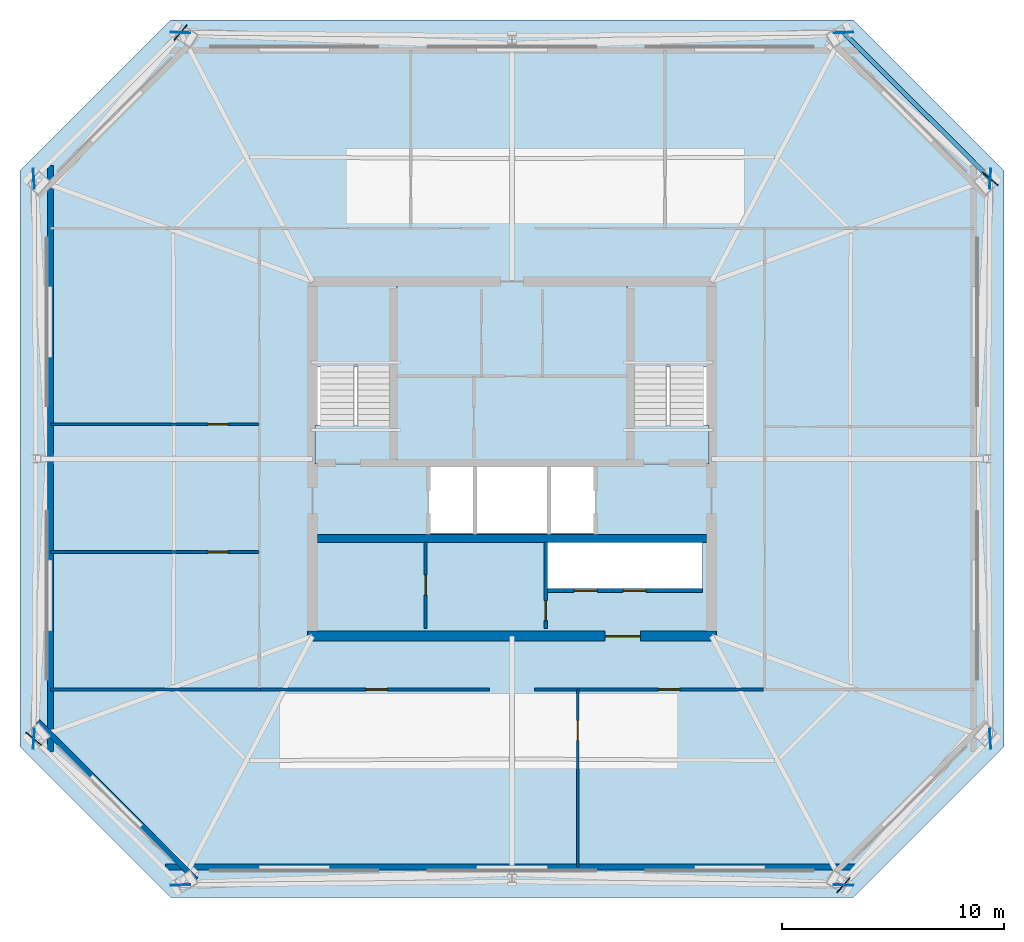
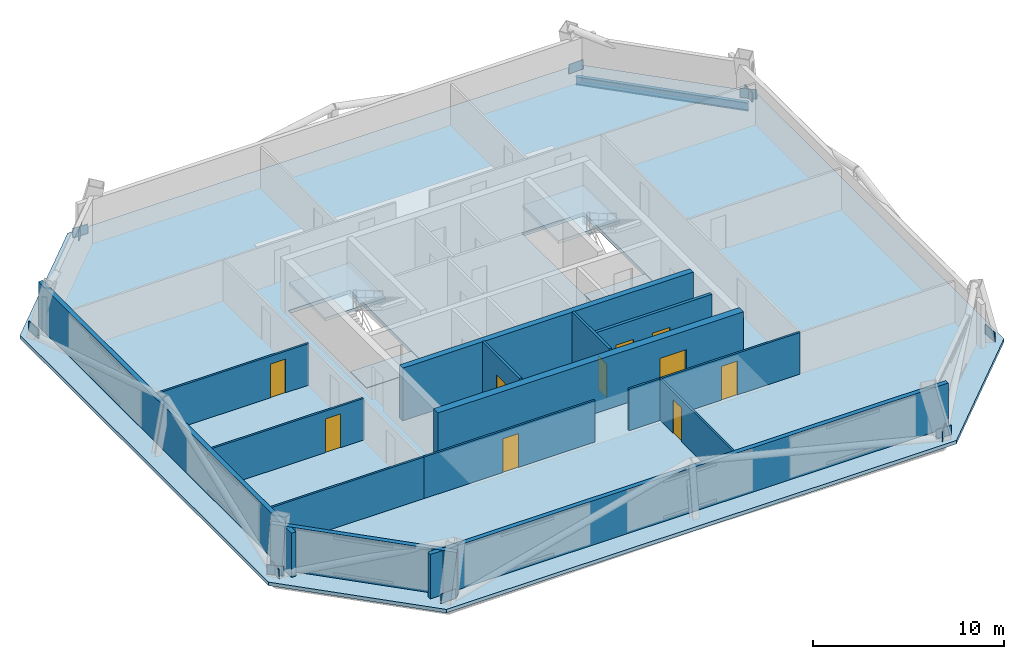
# One storey, part 2 of 6: 14 walls, 12 plates, 10 doors, 5 slabs, 1 beam, 10 openings, 2 elements without a shape of their own.
"""IFC4 building model written with IfcOpenShell, lengths in metres."""

from ifc_helpers import new_model, si_unit, direction, frame, frame_2d, origin, origin_2d, place, context, subcontext, project, spatial, polyline, rectangle, i_section, outline, extrude, material, layer, layer_set, material_profile, profile_set, type_object, element, fill, aggregate, save


model = new_model("IFC4")

# Units and contexts
model_context = context("Model", 3, precision=1e-05, world=origin(), true_north=direction((0.0, 1.0)))
body_context = subcontext(model_context, "Body", "Model", "MODEL_VIEW")
ifc_project = project(units=[si_unit("LENGTHUNIT", "METRE"), si_unit("AREAUNIT", "SQUARE_METRE"), si_unit("VOLUMEUNIT", "CUBIC_METRE"), si_unit("PLANEANGLEUNIT", "RADIAN"), si_unit("MASSUNIT", "GRAM", prefix="KILO")], contexts=[model_context])

# Site, building, storey
site_placement = place(None, origin())
site = spatial("IfcSite", under=ifc_project, at=site_placement, CompositionType="ELEMENT")
building_placement = place(site_placement, origin())
building = spatial("IfcBuilding", under=site, at=building_placement, Name="Caelvoria Tower", CompositionType="ELEMENT")
storey_placement = place(building_placement, frame((0.0, 0.0, 205.800048828125)))
storey = spatial("IfcBuildingStorey", under=building, at=storey_placement, Name="L54", CompositionType="ELEMENT", Elevation=205.800048828125)

# Beam
ifc_material_1 = material(Name="Structural Steel ASTM A992 Gr.50", Category="steel")
ifc_material_profile = material_profile(ifc_material_1, i_section(OverallWidth=0.208984375, OverallDepth=0.532958984375, WebThickness=0.01025390625, FlangeThickness=0.015625, FilletRadius=0.01611328125, at=origin_2d()), Name="Structural Steel ASTM A992 Gr.50")
ifc_profile_set = profile_set([ifc_material_profile], Name="W530X92 - Structural Steel ASTM A992 Gr.50")
beam_type = type_object("IfcBeamType", Name="Upper Zone Spandrel W530X92", PredefinedType="BEAM", material=ifc_profile_set)
beam_placement = place(storey_placement, frame((67.57861328125, 44.63623046875, -0.491455078125), z_axis=(-0.708450925744, 0.705760076664, 0.0), x_axis=(-0.705760076664, -0.708450925744, 0.0)))
element("IfcBeam", 1, at=beam_placement, inside=storey, type_object=beam_type, Name="Perimeter Spandrel Girder L54-05", PredefinedType="BEAM", context=body_context, shape_type="SweptSolid", body=[
    extrude(i_section(OverallWidth=0.208984375, OverallDepth=0.532958984375, WebThickness=0.01025390625, FlangeThickness=0.015625, FilletRadius=0.01611328125, at=origin_2d()), origin(), (0.0, 0.0, 1.0), 9.34521484375),
])

# Plates
ifc_material_2 = material(Name="Structural Steel ASTM A572 Gr.50", Category="steel")
ifc_layer_1 = layer(ifc_material_2, 0.0400390625, Name="Structural Steel ASTM A572 Gr.50")
ifc_layer_set_1 = layer_set([ifc_layer_1], Name="Megaframe Node Gusset Plate 900x600x40 - Structural Steel ASTM A572 Gr.50")
plate_type = type_object("IfcPlateType", Name="Megaframe Node Gusset Plate 900x600x40", PredefinedType="USERDEFINED", material=ifc_layer_set_1)
for number, where, z_axis, x_axis, name in (
    (2, (60.9580078125, 12.768310546875, 0.02001953125), (0.0, 0.0, 1.0), (0.643803163735, 0.765191143679, 0.0), "Chamfer Mega Brace Gusset L54 SE"),
    (3, (67.57861328125, 44.63623046875, 0.02001953125), (0.0, 0.0, 1.0), (-0.766162227237, 0.642647213917, 0.0), "Chamfer Mega Brace Gusset L54 NE"),
    (4, (31.0419921875, 51.231689453125, 0.02001953125), (0.0, 0.0, 1.0), (-0.643803163735, -0.765191143679, 0.0), "Chamfer Mega Brace Gusset L54 NW"),
    (5, (24.42138671875, 19.36376953125, 0.02001953125), (0.0, 0.0, 1.0), (0.766162227237, -0.642647213917, 0.0), "Chamfer Mega Brace Gusset L54 SW"),
    (6, (31.0419921875, 12.768310546875, 0.0498046875), (0.0, 0.0, 1.0), (0.999228008079, 0.039285975501, 0.0), "Megaframe Node Gusset Plate ND-01"),
    (7, (60.9580078125, 12.768310546875, 0.0498046875), (0.0, 0.0, 1.0), (-0.999228008079, 0.039285975501, 0.0), "Megaframe Node Gusset Plate ND-01"),
    (8, (67.57861328125, 19.36376953125, 0.0498046875), (0.0, 0.0, 1.0), (-0.056279804967, 0.998415035721, 0.0), "Megaframe Node Gusset Plate ND-01"),
    (9, (67.57861328125, 44.63623046875, 0.0498046875), (0.0, 0.0, 1.0), (-0.056279804967, -0.998415035721, 0.0), "Megaframe Node Gusset Plate ND-01"),
    (10, (60.9580078125, 51.231689453125, 0.0498046875), (0.0, 0.0, 1.0), (-0.999228008079, -0.039285975501, 0.0), "Megaframe Node Gusset Plate ND-01"),
    (11, (31.0419921875, 51.231689453125, 0.0498046875), (0.0, 0.0, 1.0), (0.999228008079, -0.039285975501, 0.0), "Megaframe Node Gusset Plate ND-01"),
    (12, (24.42138671875, 44.63623046875, 0.0498046875), (0.0, 0.0, 1.0), (0.056279804967, -0.998415035721, 0.0), "Megaframe Node Gusset Plate ND-01"),
    (13, (24.42138671875, 19.36376953125, 0.0498046875), (0.0, 0.0, 1.0), (0.056279804967, 0.998415035721, 0.0), "Megaframe Node Gusset Plate ND-01"),
):
    element("IfcPlate", number, at=place(storey_placement, frame(where, z_axis=z_axis, x_axis=x_axis)), inside=storey, type_object=plate_type, Name=name, ObjectType="GUSSET_PLATE", PredefinedType="USERDEFINED", context=body_context, shape_type="SweptSolid", body=[
        extrude(rectangle(XDim=0.89990234375, YDim=0.0400390625, at=origin_2d()), origin(), (0.0, 0.0, 1.0), 0.60009765625),
    ])

# Stair, slabs
ifc_material_3 = material(Name="Concrete C40/50", Category="concrete")
stair_type = type_object("IfcStairType", Name="Core Smokeproof Dogleg Stair Concrete C40/50", PredefinedType="HALF_TURN_STAIR", material=ifc_material_3)
stair_1_placement = place(storey_placement, origin())
stair_1 = element("IfcStair", 14, at=stair_1_placement, inside=storey, type_object=stair_type, Name="ST-01 Smokeproof Exit Stair L54", PredefinedType="HALF_TURN_STAIR")
ifc_layer_2 = layer(ifc_material_3, 0.199951171875, Name="Concrete C40/50")
ifc_layer_set_2 = layer_set([ifc_layer_2], Name="Stair Half and Floor Landing Slab 200 Concrete C40/50 - Concrete C40/50")
slab_type_1 = type_object("IfcSlabType", Name="Stair Half and Floor Landing Slab 200 Concrete C40/50", PredefinedType="LANDING", material=ifc_layer_set_2)
slab_1_placement = place(storey_placement, frame((0.0, 0.0, -0.199951171875)))
slab_1 = element("IfcSlab", 15, at=slab_1_placement, type_object=slab_type_1, Name="ST-01 landing 1", PredefinedType="LANDING", context=body_context, shape_type="SweptSolid", body=[
    extrude(outline(polyline([(37.10009765625, 31.77001953125), (40.800048828125, 31.77001953125), (40.800048828125, 33.5), (37.10009765625, 33.5), (37.10009765625, 31.77001953125)])), origin(), (0.0, 0.0, 1.0), 0.199951171875),
])
slab_2_placement = place(storey_placement, frame((0.0, 0.0, 1.599853515625)))
slab_2 = element("IfcSlab", 16, at=slab_2_placement, type_object=slab_type_1, Name="ST-01 landing 2", PredefinedType="LANDING", context=body_context, shape_type="SweptSolid", body=[
    extrude(outline(polyline([(37.10009765625, 36.14990234375), (40.800048828125, 36.14990234375), (40.800048828125, 39.89990234375), (37.10009765625, 39.89990234375), (37.10009765625, 36.14990234375)])), origin(), (0.0, 0.0, 1.0), 0.2001953125),
])
aggregate(stair_1, [slab_1, slab_2])

stair_2_placement = place(storey_placement, origin())
stair_2 = element("IfcStair", 17, at=stair_2_placement, inside=storey, type_object=stair_type, Name="ST-02 Smokeproof Exit Stair L54", PredefinedType="HALF_TURN_STAIR")
slab_3_placement = place(storey_placement, frame((0.0, 0.0, -0.199951171875)))
slab_3 = element("IfcSlab", 18, at=slab_3_placement, type_object=slab_type_1, Name="ST-02 landing 1", PredefinedType="LANDING", context=body_context, shape_type="SweptSolid", body=[
    extrude(outline(polyline([(51.199951171875, 31.77001953125), (54.89990234375, 31.77001953125), (54.89990234375, 33.5), (51.199951171875, 33.5), (51.199951171875, 31.77001953125)])), origin(), (0.0, 0.0, 1.0), 0.199951171875),
])
slab_4_placement = place(storey_placement, frame((0.0, 0.0, 1.599853515625)))
slab_4 = element("IfcSlab", 19, at=slab_4_placement, type_object=slab_type_1, Name="ST-02 landing 2", PredefinedType="LANDING", context=body_context, shape_type="SweptSolid", body=[
    extrude(outline(polyline([(51.199951171875, 36.14990234375), (54.89990234375, 36.14990234375), (54.89990234375, 39.89990234375), (51.199951171875, 39.89990234375), (51.199951171875, 36.14990234375)])), origin(), (0.0, 0.0, 1.0), 0.2001953125),
])
aggregate(stair_2, [slab_3, slab_4])

# Slab
ifc_layer_3 = layer(ifc_material_3, 0.22509765625, Name="Concrete C40/50")
ifc_layer_set_3 = layer_set([ifc_layer_3], Name="Upper Tower Composite Office Slab 225 - Concrete C40/50")
slab_type_2 = type_object("IfcSlabType", Name="Upper Tower Composite Office Slab 225", PredefinedType="FLOOR", material=ifc_layer_set_3)
slab_5_placement = place(storey_placement, frame((0.0, 0.0, -0.22509765625)))
element("IfcSlab", 20, at=slab_5_placement, inside=storey, type_object=slab_type_2, Name="Level L54 Structural Floor Slab", PredefinedType="FLOOR", context=body_context, shape_type="SweptSolid", body=[
    extrude(outline(polyline([(30.60009765625, 12.199951171875), (61.39990234375, 12.199951171875), (68.199951171875, 19.0), (68.199951171875, 45.0), (61.39990234375, 51.800048828125), (30.60009765625, 51.800048828125), (23.800048828125, 45.0), (23.800048828125, 19.0), (30.60009765625, 12.199951171875)]), holes=[polyline([(37.080078125, 31.75), (40.820068359375, 31.75), (40.820068359375, 39.919921875), (37.080078125, 39.919921875), (37.080078125, 31.75)]), polyline([(51.179931640625, 31.75), (54.919921875, 31.75), (54.919921875, 39.919921875), (51.179931640625, 39.919921875), (51.179931640625, 31.75)]), polyline([(42.25, 28.64990234375), (49.75, 28.64990234375), (49.75, 31.800048828125), (42.25, 31.800048828125), (42.25, 28.64990234375)]), polyline([(47.60009765625, 26.14990234375), (54.60009765625, 26.14990234375), (54.60009765625, 28.25), (47.60009765625, 28.25), (47.60009765625, 26.14990234375)])]), origin(), (0.0, 0.0, 1.0), 0.22509765625),
])

# Wall
ifc_material_4 = material(Name="Concrete C50/60", Category="concrete")
ifc_layer_4 = layer(ifc_material_4, 0.35009765625, Name="Concrete C50/60")
ifc_layer_set_4 = layer_set([ifc_layer_4], Name="Core Internal Shear Wall 350 - Concrete C50/60")
wall_type_1 = type_object("IfcWallType", Name="Core Internal Shear Wall 350", PredefinedType="SHEAR", material=ifc_layer_set_4)
wall_1_placement = place(storey_placement, frame((37.22509765625, 28.39990234375, 0.0), z_axis=(0.0, 0.0, 1.0), x_axis=(1.0, 0.0, 0.0)))
element("IfcWall", 21, at=wall_1_placement, inside=storey, type_object=wall_type_1, Name="Core Shear Wall L54 M2", PredefinedType="SHEAR", context=body_context, shape_type="SweptSolid", body=[
    extrude(rectangle(XDim=17.5498046875, YDim=0.35009765625, at=frame_2d((8.77490234375, 0.0))), origin(), (0.0, 0.0, 1.0), 3.35986328125),
])

# Wall, opening, door
ifc_material_5 = material(Name="Double Gypsum Board on Steel Stud", Category="steel")
ifc_layer_5 = layer(ifc_material_5, 0.14990234375, Name="Double Gypsum Board on Steel Stud")
ifc_layer_set_5 = layer_set([ifc_layer_5], Name="Core Service Acoustic Partition Wall 150 - Double Gypsum Board on Steel Stud")
wall_type_2 = type_object("IfcWallType", Name="Core Service Acoustic Partition Wall 150", PredefinedType="PARTITIONING", material=ifc_layer_set_5)
wall_2_placement = place(storey_placement, frame((42.10009765625, 24.35009765625, 0.0), z_axis=(0.0, 0.0, 1.0), x_axis=(0.0, 1.0, 0.0)))
wall_2 = element("IfcWall", 22, at=wall_2_placement, inside=storey, type_object=wall_type_2, Name="Interior Partition IW-L54-RECL-MID", PredefinedType="PARTITIONING", context=body_context, shape_type="SweptSolid", body=[
    extrude(rectangle(XDim=3.89990234375, YDim=0.14990234375, at=frame_2d((1.949951171875, 0.0))), origin(), (0.0, 0.0, 1.0), 3.375),
])
opening_1_placement = place(wall_2_placement, frame((1.5, 0.0, 0.0)))
opening_1 = element("IfcOpeningElement", 23, at=opening_1_placement, cuts=wall_2, Name="Opening ID-06", PredefinedType="OPENING", context=body_context, shape_type="SweptSolid", body=[
    extrude(rectangle(XDim=0.89990234375, YDim=2.14990234375, at=frame_2d((0.449951171875, 1.074951171875))), frame((0.0, 0.0849609375, 0.0), z_axis=(0.0, -1.0, 0.0), x_axis=(1.0, 0.0, 0.0)), (0.0, 0.0, 1.0), 0.169921875),
])
ifc_material_6 = material(Name="Engineered Andean Oak Veneer Door", Category="wood")
door_type_1 = type_object("IfcDoorType", Name="Interior Timber Door 900x2150", OperationType="NOTDEFINED", PredefinedType="DOOR", material=ifc_material_6)
door_1_placement = place(opening_1_placement, origin())
door_1 = element("IfcDoor", 24, at=door_1_placement, inside=storey, type_object=door_type_1, Name="Interior Door DR-L54-RECL12", OperationType="SINGLE_SWING_LEFT", OverallHeight=2.14990234375, OverallWidth=0.89990234375, PredefinedType="DOOR", context=body_context, shape_type="SweptSolid", body=[
    extrude(rectangle(XDim=0.89990234375, YDim=2.14990234375, at=frame_2d((0.449951171875, 1.074951171875))), frame((0.0, 0.02490234375, 0.0), z_axis=(0.0, -1.0, 0.0), x_axis=(1.0, 0.0, 0.0)), (0.0, 0.0, 1.0), 0.050048828125),
])
fill(opening_1, door_1)

wall_3_placement = place(storey_placement, frame((47.52001953125, 24.35009765625, 0.0), z_axis=(0.0, 0.0, 1.0), x_axis=(0.0, 1.0, 0.0)))
wall_3 = element("IfcWall", 25, at=wall_3_placement, inside=storey, type_object=wall_type_2, Name="Interior Partition IW-L54-RECL2E", PredefinedType="PARTITIONING", context=body_context, shape_type="SweptSolid", body=[
    extrude(rectangle(XDim=3.89990234375, YDim=0.14990234375, at=frame_2d((1.949951171875, 0.0))), origin(), (0.0, 0.0, 1.0), 3.375),
])
opening_2_placement = place(wall_3_placement, frame((0.35009765625, 0.0, 0.0)))
opening_2 = element("IfcOpeningElement", 26, at=opening_2_placement, cuts=wall_3, Name="Opening ID-04", PredefinedType="OPENING", context=body_context, shape_type="SweptSolid", body=[
    extrude(rectangle(XDim=0.89990234375, YDim=2.14990234375, at=frame_2d((0.449951171875, 1.074951171875))), frame((0.0, 0.0849609375, 0.0), z_axis=(0.0, -1.0, 0.0), x_axis=(1.0, 0.0, 0.0)), (0.0, 0.0, 1.0), 0.169921875),
])
ifc_material_7 = material(Name="Acoustic Timber Fire Door", Category="wood")
door_type_2 = type_object("IfcDoorType", Name="Fire Door FD30S 900x2150", OperationType="NOTDEFINED", PredefinedType="DOOR", material=ifc_material_7)
door_2_placement = place(opening_2_placement, origin())
door_2 = element("IfcDoor", 27, at=door_2_placement, inside=storey, type_object=door_type_2, Name="Interior Door DR-L54-RECL2", OperationType="SINGLE_SWING_RIGHT", OverallHeight=2.14990234375, OverallWidth=0.89990234375, PredefinedType="DOOR", context=body_context, shape_type="SweptSolid", body=[
    extrude(rectangle(XDim=0.89990234375, YDim=2.14990234375, at=frame_2d((0.449951171875, 1.074951171875))), frame((0.0, 0.02490234375, 0.0), z_axis=(0.0, -1.0, 0.0), x_axis=(1.0, 0.0, 0.0)), (0.0, 0.0, 1.0), 0.050048828125),
])
fill(opening_2, door_2)

# Wall, openings, doors
ifc_material_8 = material(Name="Concrete Block and Fireboard Assembly", Category="concrete")
ifc_layer_6 = layer(ifc_material_8, 0.179931640625, Name="Concrete Block and Fireboard Assembly")
ifc_layer_set_6 = layer_set([ifc_layer_6], Name="Fire-Rated Hoistway Partition Wall 180 - Concrete Block and Fireboard Assembly")
wall_type_3 = type_object("IfcWallType", Name="Fire-Rated Hoistway Partition Wall 180", PredefinedType="PARTITIONING", material=ifc_layer_set_6)
wall_4_placement = place(storey_placement, frame((47.60009765625, 26.050048828125, 0.0), z_axis=(0.0, 0.0, 1.0), x_axis=(1.0, 0.0, 0.0)))
wall_4 = element("IfcWall", 28, at=wall_4_placement, inside=storey, type_object=wall_type_3, Name="Interior Partition IW-L54-LFRONT", PredefinedType="PARTITIONING", context=body_context, shape_type="SweptSolid", body=[
    extrude(rectangle(XDim=7.0, YDim=0.179931640625, at=frame_2d((3.5, 0.0))), origin(), (0.0, 0.0, 1.0), 3.375),
])
opening_3_placement = place(wall_4_placement, frame((1.199951171875, 0.0, 0.0)))
opening_3 = element("IfcOpeningElement", 29, at=opening_3_placement, cuts=wall_4, Name="Opening LD-01", PredefinedType="OPENING", context=body_context, shape_type="SweptSolid", body=[
    extrude(rectangle(XDim=1.050048828125, YDim=2.14990234375, at=frame_2d((0.52490234375, 1.074951171875))), frame((0.0, 0.099853515625, 0.0), z_axis=(0.0, -1.0, 0.0), x_axis=(1.0, 0.0, 0.0)), (0.0, 0.0, 1.0), 0.199951171875),
])
opening_4_placement = place(wall_4_placement, frame((3.39990234375, 0.0, 0.0)))
opening_4 = element("IfcOpeningElement", 30, at=opening_4_placement, cuts=wall_4, Name="Opening LD-01", PredefinedType="OPENING", context=body_context, shape_type="SweptSolid", body=[
    extrude(rectangle(XDim=1.050048828125, YDim=2.14990234375, at=frame_2d((0.52490234375, 1.074951171875))), frame((0.0, 0.099853515625, 0.0), z_axis=(0.0, -1.0, 0.0), x_axis=(1.0, 0.0, 0.0)), (0.0, 0.0, 1.0), 0.199951171875),
])
ifc_material_9 = material(Name="Brushed Bronze Stainless Sliding Landing Door", Category="aluminium")
door_type_3 = type_object("IfcDoorType", Name="Lift Landing Sliding Door 1100x2150", OperationType="NOTDEFINED", PredefinedType="DOOR", material=ifc_material_9)
door_3_placement = place(opening_3_placement, origin())
door_3 = element("IfcDoor", 31, at=door_3_placement, inside=storey, type_object=door_type_3, Name="Interior Door LD-L54-PH1", OperationType="SLIDING_TO_LEFT", OverallHeight=2.14990234375, OverallWidth=1.050048828125, PredefinedType="DOOR", context=body_context, shape_type="SweptSolid", body=[
    extrude(rectangle(XDim=1.050048828125, YDim=2.14990234375, at=frame_2d((0.52490234375, 1.074951171875))), frame((0.0, 0.02490234375, 0.0), z_axis=(0.0, -1.0, 0.0), x_axis=(1.0, 0.0, 0.0)), (0.0, 0.0, 1.0), 0.050048828125),
])
fill(opening_3, door_3)
door_4_placement = place(opening_4_placement, origin())
door_4 = element("IfcDoor", 32, at=door_4_placement, inside=storey, type_object=door_type_3, Name="Interior Door LD-L54-PH2", OperationType="SLIDING_TO_RIGHT", OverallHeight=2.14990234375, OverallWidth=1.050048828125, PredefinedType="DOOR", context=body_context, shape_type="SweptSolid", body=[
    extrude(rectangle(XDim=1.050048828125, YDim=2.14990234375, at=frame_2d((0.52490234375, 1.074951171875))), frame((0.0, 0.02490234375, 0.0), z_axis=(0.0, -1.0, 0.0), x_axis=(1.0, 0.0, 0.0)), (0.0, 0.0, 1.0), 0.050048828125),
])
fill(opening_4, door_4)

# Wall, opening, door
ifc_material_10 = material(Name="Acoustic Gypsum Board on Light-Gauge Stud", Category="gypsum")
ifc_layer_7 = layer(ifc_material_10, 0.1201171875, Name="Acoustic Gypsum Board on Light-Gauge Stud")
ifc_layer_set_7 = layer_set([ifc_layer_7], Name="Tenant Suite Acoustic Partition Wall 120 - Acoustic Gypsum Board on Light-Gauge Stud")
wall_type_4 = type_object("IfcWallType", Name="Tenant Suite Acoustic Partition Wall 120", PredefinedType="PARTITIONING", material=ifc_layer_set_7)
wall_5_placement = place(storey_placement, frame((48.959228515625, 21.590087890625, 0.0), z_axis=(0.0, 0.0, 1.0), x_axis=(0.0, -1.0, 0.0)))
wall_5 = element("IfcWall", 33, at=wall_5_placement, inside=storey, type_object=wall_type_4, Name="Interior Partition IW-L54-SD-00-0", PredefinedType="PARTITIONING", context=body_context, shape_type="SweptSolid", body=[
    extrude(rectangle(XDim=8.010009765625, YDim=0.1201171875, at=frame_2d((4.0048828125, 0.0))), origin(), (0.0, 0.0, 1.0), 2.655029296875),
])
opening_5_placement = place(wall_5_placement, frame((1.39990234375, 0.0, 0.0)))
opening_5 = element("IfcOpeningElement", 34, at=opening_5_placement, cuts=wall_5, Name="Opening ID-06", PredefinedType="OPENING", context=body_context, shape_type="SweptSolid", body=[
    extrude(rectangle(XDim=0.89990234375, YDim=2.14990234375, at=frame_2d((0.449951171875, 1.074951171875))), frame((0.0, 0.070068359375, 0.0), z_axis=(0.0, -1.0, 0.0), x_axis=(1.0, 0.0, 0.0)), (0.0, 0.0, 1.0), 0.14013671875),
])
door_5_placement = place(opening_5_placement, origin())
door_5 = element("IfcDoor", 35, at=door_5_placement, inside=storey, type_object=door_type_1, Name="Interior Door DR-L54-SM-00-0", OperationType="SINGLE_SWING_RIGHT", OverallHeight=2.14990234375, OverallWidth=0.89990234375, PredefinedType="DOOR", context=body_context, shape_type="SweptSolid", body=[
    extrude(rectangle(XDim=0.89990234375, YDim=2.14990234375, at=frame_2d((0.449951171875, 1.074951171875))), frame((0.0, 0.02490234375, 0.0), z_axis=(0.0, -1.0, 0.0), x_axis=(1.0, 0.0, 0.0)), (0.0, 0.0, 1.0), 0.050048828125),
])
fill(opening_5, door_5)

wall_6_placement = place(storey_placement, frame((34.64990234375, 21.590087890625, 0.0), z_axis=(0.0, 0.0, 1.0), x_axis=(1.0, 0.0, 0.0)))
wall_6 = element("IfcWall", 36, at=wall_6_placement, inside=storey, type_object=wall_type_4, Name="Interior Partition IW-L54-SCW-0", PredefinedType="PARTITIONING", context=body_context, shape_type="SweptSolid", body=[
    extrude(rectangle(XDim=10.330078125, YDim=0.1201171875, at=frame_2d((5.1650390625, 0.0))), origin(), (0.0, 0.0, 1.0), 2.655029296875),
])
opening_6_placement = place(wall_6_placement, frame((4.760009765625, 0.0, 0.0)))
opening_6 = element("IfcOpeningElement", 37, at=opening_6_placement, cuts=wall_6, Name="Opening ID-05", PredefinedType="OPENING", context=body_context, shape_type="SweptSolid", body=[
    extrude(rectangle(XDim=0.949951171875, YDim=2.14990234375, at=frame_2d((0.47509765625, 1.074951171875))), frame((0.0, 0.070068359375, 0.0), z_axis=(0.0, -1.0, 0.0), x_axis=(1.0, 0.0, 0.0)), (0.0, 0.0, 1.0), 0.14013671875),
])
door_type_4 = type_object("IfcDoorType", Name="Interior Timber Door 950x2150", OperationType="NOTDEFINED", PredefinedType="DOOR", material=ifc_material_6)
door_6_placement = place(opening_6_placement, origin())
door_6 = element("IfcDoor", 38, at=door_6_placement, inside=storey, type_object=door_type_4, Name="Interior Door DR-L54-SC-00-0", OperationType="SINGLE_SWING_LEFT", OverallHeight=2.14990234375, OverallWidth=0.949951171875, PredefinedType="DOOR", context=body_context, shape_type="SweptSolid", body=[
    extrude(rectangle(XDim=0.949951171875, YDim=2.14990234375, at=frame_2d((0.47509765625, 1.074951171875))), frame((0.0, 0.02490234375, 0.0), z_axis=(0.0, -1.0, 0.0), x_axis=(1.0, 0.0, 0.0)), (0.0, 0.0, 1.0), 0.050048828125),
])
fill(opening_6, door_6)

wall_7_placement = place(storey_placement, frame((47.02001953125, 21.590087890625, 0.0), z_axis=(0.0, 0.0, 1.0), x_axis=(1.0, 0.0, 0.0)))
wall_7 = element("IfcWall", 39, at=wall_7_placement, inside=storey, type_object=wall_type_4, Name="Interior Partition IW-L54-SCW-1", PredefinedType="PARTITIONING", context=body_context, shape_type="SweptSolid", body=[
    extrude(rectangle(XDim=10.330078125, YDim=0.1201171875, at=frame_2d((5.1650390625, 0.0))), origin(), (0.0, 0.0, 1.0), 2.655029296875),
])
opening_7_placement = place(wall_7_placement, frame((5.589599609375, 0.0, 0.0)))
opening_7 = element("IfcOpeningElement", 40, at=opening_7_placement, cuts=wall_7, Name="Opening ID-05", PredefinedType="OPENING", context=body_context, shape_type="SweptSolid", body=[
    extrude(rectangle(XDim=0.949951171875, YDim=2.14990234375, at=frame_2d((0.47509765625, 1.074951171875))), frame((0.0, 0.070068359375, 0.0), z_axis=(0.0, -1.0, 0.0), x_axis=(1.0, 0.0, 0.0)), (0.0, 0.0, 1.0), 0.14013671875),
])
door_7_placement = place(opening_7_placement, origin())
door_7 = element("IfcDoor", 41, at=door_7_placement, inside=storey, type_object=door_type_4, Name="Interior Door DR-L54-SC-01-0", OperationType="SINGLE_SWING_RIGHT", OverallHeight=2.14990234375, OverallWidth=0.949951171875, PredefinedType="DOOR", context=body_context, shape_type="SweptSolid", body=[
    extrude(rectangle(XDim=0.949951171875, YDim=2.14990234375, at=frame_2d((0.47509765625, 1.074951171875))), frame((0.0, 0.02490234375, 0.0), z_axis=(0.0, -1.0, 0.0), x_axis=(1.0, 0.0, 0.0)), (0.0, 0.0, 1.0), 0.050048828125),
])
fill(opening_7, door_7)

wall_8_placement = place(storey_placement, frame((34.590087890625, 27.797119140625, 0.0), z_axis=(0.0, 0.0, 1.0), x_axis=(-1.0, 0.0, 0.0)))
wall_8 = element("IfcWall", 42, at=wall_8_placement, inside=storey, type_object=wall_type_4, Name="Interior Partition IW-L54-WD-00-0", PredefinedType="PARTITIONING", context=body_context, shape_type="SweptSolid", body=[
    extrude(rectangle(XDim=9.41015625, YDim=0.1201171875, at=frame_2d((4.705078125, 0.0))), origin(), (0.0, 0.0, 1.0), 2.655029296875),
])
opening_8_placement = place(wall_8_placement, frame((1.39990234375, 0.0, 0.0)))
opening_8 = element("IfcOpeningElement", 43, at=opening_8_placement, cuts=wall_8, Name="Opening ID-06", PredefinedType="OPENING", context=body_context, shape_type="SweptSolid", body=[
    extrude(rectangle(XDim=0.89990234375, YDim=2.14990234375, at=frame_2d((0.449951171875, 1.074951171875))), frame((0.0, 0.070068359375, 0.0), z_axis=(0.0, -1.0, 0.0), x_axis=(1.0, 0.0, 0.0)), (0.0, 0.0, 1.0), 0.14013671875),
])
door_8_placement = place(opening_8_placement, origin())
door_8 = element("IfcDoor", 44, at=door_8_placement, inside=storey, type_object=door_type_1, Name="Interior Door DR-L54-WM-00-0", OperationType="SINGLE_SWING_RIGHT", OverallHeight=2.14990234375, OverallWidth=0.89990234375, PredefinedType="DOOR", context=body_context, shape_type="SweptSolid", body=[
    extrude(rectangle(XDim=0.89990234375, YDim=2.14990234375, at=frame_2d((0.449951171875, 1.074951171875))), frame((0.0, 0.02490234375, 0.0), z_axis=(0.0, -1.0, 0.0), x_axis=(1.0, 0.0, 0.0)), (0.0, 0.0, 1.0), 0.050048828125),
])
fill(opening_8, door_8)

wall_9_placement = place(storey_placement, frame((34.590087890625, 33.565673828125, 0.0), z_axis=(0.0, 0.0, 1.0), x_axis=(-1.0, 0.0, 0.0)))
wall_9 = element("IfcWall", 45, at=wall_9_placement, inside=storey, type_object=wall_type_4, Name="Interior Partition IW-L54-WD-01-0", PredefinedType="PARTITIONING", context=body_context, shape_type="SweptSolid", body=[
    extrude(rectangle(XDim=9.41015625, YDim=0.1201171875, at=frame_2d((4.705078125, 0.0))), origin(), (0.0, 0.0, 1.0), 2.655029296875),
])
opening_9_placement = place(wall_9_placement, frame((1.39990234375, 0.0, 0.0)))
opening_9 = element("IfcOpeningElement", 46, at=opening_9_placement, cuts=wall_9, Name="Opening ID-06", PredefinedType="OPENING", context=body_context, shape_type="SweptSolid", body=[
    extrude(rectangle(XDim=0.89990234375, YDim=2.14990234375, at=frame_2d((0.449951171875, 1.074951171875))), frame((0.0, 0.070068359375, 0.0), z_axis=(0.0, -1.0, 0.0), x_axis=(1.0, 0.0, 0.0)), (0.0, 0.0, 1.0), 0.14013671875),
])
door_9_placement = place(opening_9_placement, origin())
door_9 = element("IfcDoor", 47, at=door_9_placement, inside=storey, type_object=door_type_1, Name="Interior Door DR-L54-WM-01-0", OperationType="SINGLE_SWING_LEFT", OverallHeight=2.14990234375, OverallWidth=0.89990234375, PredefinedType="DOOR", context=body_context, shape_type="SweptSolid", body=[
    extrude(rectangle(XDim=0.89990234375, YDim=2.14990234375, at=frame_2d((0.449951171875, 1.074951171875))), frame((0.0, 0.02490234375, 0.0), z_axis=(0.0, -1.0, 0.0), x_axis=(1.0, 0.0, 0.0)), (0.0, 0.0, 1.0), 0.050048828125),
])
fill(opening_9, door_9)

# Wall
wall_10_placement = place(storey_placement, frame((34.64990234375, 21.590087890625, 0.0), z_axis=(0.0, 0.0, 1.0), x_axis=(-1.0, 0.0, 0.0)))
element("IfcWall", 48, at=wall_10_placement, inside=storey, type_object=wall_type_4, Name="Interior Partition IW-L54-BSW-0", PredefinedType="PARTITIONING", context=body_context, shape_type="SweptSolid", body=[
    extrude(rectangle(XDim=9.469970703125, YDim=0.1201171875, at=frame_2d((4.73486328125, 0.0))), origin(), (0.0, 0.0, 1.0), 2.655029296875),
])

# Wall, opening, door
ifc_layer_8 = layer(ifc_material_4, 0.449951171875, Name="Concrete C50/60")
ifc_layer_set_8 = layer_set([ifc_layer_8], Name="Upper Core Shear Wall 450 - Concrete C50/60")
wall_type_5 = type_object("IfcWallType", Name="Upper Core Shear Wall 450", PredefinedType="SHEAR", material=ifc_layer_set_8)
wall_11_placement = place(storey_placement, frame((36.77490234375, 24.0, 0.0), z_axis=(0.0, 0.0, 1.0), x_axis=(1.0, 0.0, 0.0)))
wall_11 = element("IfcWall", 49, at=wall_11_placement, inside=storey, type_object=wall_type_5, Name="Core Shear Wall L54 S", PredefinedType="SHEAR", context=body_context, shape_type="SweptSolid", body=[
    extrude(rectangle(XDim=18.4501953125, YDim=0.449951171875, at=frame_2d((9.22509765625, 0.0))), origin(), (0.0, 0.0, 1.0), 3.35986328125),
])
opening_10_placement = place(wall_11_placement, frame((13.425048828125, 0.0, 0.0)))
opening_10 = element("IfcOpeningElement", 50, at=opening_10_placement, cuts=wall_11, Name="Opening ID-08", PredefinedType="OPENING", context=body_context, shape_type="SweptSolid", body=[
    extrude(rectangle(XDim=1.60009765625, YDim=2.14990234375, at=frame_2d((0.800048828125, 1.074951171875))), frame((0.0, 0.23486328125, 0.0), z_axis=(0.0, -1.0, 0.0), x_axis=(1.0, 0.0, 0.0)), (0.0, 0.0, 1.0), 0.469970703125),
])
ifc_material_11 = material(Name="Bronze-Framed Fire-Rated Glazed Double Door", Category="aluminium")
door_type_5 = type_object("IfcDoorType", Name="Double Lobby Glazed Door 1600x2200", OperationType="NOTDEFINED", PredefinedType="DOOR", material=ifc_material_11)
door_10_placement = place(opening_10_placement, origin())
door_10 = element("IfcDoor", 51, at=door_10_placement, inside=storey, type_object=door_type_5, Name="Core Door DR-L54-LLOB-S2", OperationType="DOUBLE_DOOR_SINGLE_SWING", OverallHeight=2.14990234375, OverallWidth=1.60009765625, PredefinedType="DOOR", context=body_context, shape_type="SweptSolid", body=[
    extrude(rectangle(XDim=1.60009765625, YDim=2.14990234375, at=frame_2d((0.800048828125, 1.074951171875))), frame((0.0, 0.02490234375, 0.0), z_axis=(0.0, -1.0, 0.0), x_axis=(1.0, 0.0, 0.0)), (0.0, 0.0, 1.0), 0.050048828125),
])
fill(opening_10, door_10)

# Walls
ifc_material_12 = material(Name="Precast Concrete C40/50 with Bronze Cladding", Category="concrete")
ifc_layer_9 = layer(ifc_material_12, 0.264892578125, Name="Precast Concrete C40/50 with Bronze Cladding")
ifc_layer_set_9 = layer_set([ifc_layer_9], Name="Upper Taper Precast Concrete C40/50 Bronze Facade Wall 265 - Precast Concrete C40/50 with Bronze Cladding")
wall_type_6 = type_object("IfcWallType", Name="Upper Taper Precast Concrete C40/50 Bronze Facade Wall 265", PredefinedType="STANDARD", material=ifc_layer_set_9)
wall_12_placement = place(storey_placement, frame((30.360107421875, 13.580078125, 0.0), z_axis=(0.0, 0.0, 1.0), x_axis=(1.0, 0.0, 0.0)))
element("IfcWall", 52, at=wall_12_placement, inside=storey, type_object=wall_type_6, Name="Exterior Facade Wall L54-E0", PredefinedType="STANDARD", context=body_context, shape_type="SweptSolid", body=[
    extrude(rectangle(XDim=31.27978515625, YDim=0.264892578125, at=frame_2d((15.639892578125, 0.0))), origin(), (0.0, 0.0, 1.0), 2.83203125),
])
wall_13_placement = place(storey_placement, frame((25.179931640625, 45.239990234375, 0.0), z_axis=(0.0, 0.0, 1.0), x_axis=(0.0, -1.0, 0.0)))
element("IfcWall", 53, at=wall_13_placement, inside=storey, type_object=wall_type_6, Name="Exterior Facade Wall L54-E6", PredefinedType="STANDARD", context=body_context, shape_type="SweptSolid", body=[
    extrude(rectangle(XDim=26.47998046875, YDim=0.264892578125, at=frame_2d((13.239990234375, 0.0))), origin(), (0.0, 0.0, 1.0), 2.83203125),
])
wall_14_placement = place(storey_placement, frame((24.606201171875, 20.1455078125, 0.0), z_axis=(0.0, 0.0, 1.0), x_axis=(0.707106781187, -0.707106781187, 0.0)))
element("IfcWall", 54, at=wall_14_placement, inside=storey, type_object=wall_type_6, Name="Exterior Facade Wall L54-E7", PredefinedType="STANDARD", context=body_context, shape_type="SweptSolid", body=[
    extrude(rectangle(XDim=10.0966796875, YDim=0.264892578125, at=frame_2d((5.04833984375, 0.0))), origin(), (0.0, 0.0, 1.0), 2.83203125),
])

save(model, "model.ifc")
